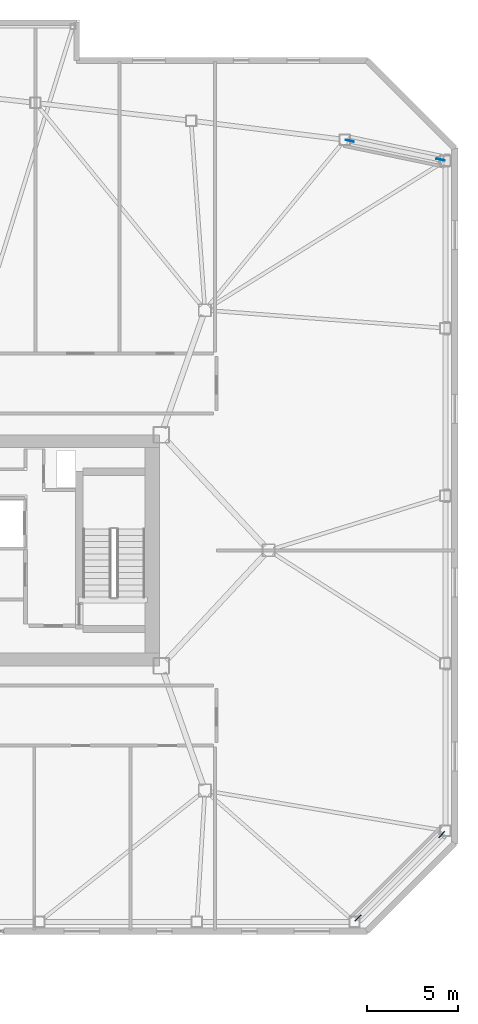
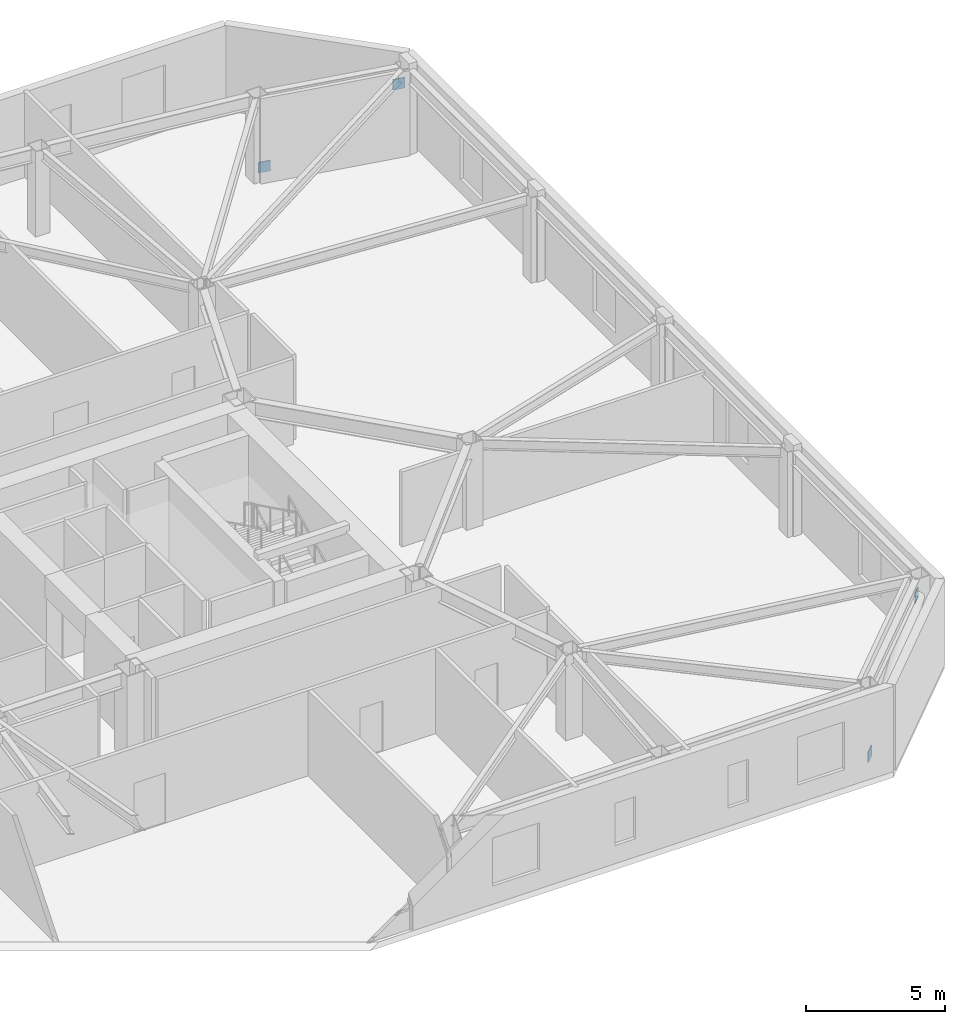
# One storey, part 17 of 18: 4 discrete accessories.
"""IFC4 building model written with IfcOpenShell, lengths in metres."""

from ifc_helpers import new_model, si_unit, direction, frame, origin, origin_2d, place, context, subcontext, project, spatial, rectangle, extrude, material, type_object, element, save


model = new_model("IFC4")

# Units and contexts
model_context = context("Model", 3, precision=1e-05, world=origin(), true_north=direction((0.0, 1.0)))
body_context = subcontext(model_context, "Body", "Model", "MODEL_VIEW")
ifc_project = project(units=[si_unit("LENGTHUNIT", "METRE"), si_unit("AREAUNIT", "SQUARE_METRE"), si_unit("VOLUMEUNIT", "CUBIC_METRE"), si_unit("PLANEANGLEUNIT", "RADIAN"), si_unit("MASSUNIT", "GRAM", prefix="KILO")], contexts=[model_context])

# Site, building, storey
site_placement = place(None, origin())
site = spatial("IfcSite", under=ifc_project, at=site_placement, CompositionType="ELEMENT")
building_placement = place(site_placement, origin())
building = spatial("IfcBuilding", under=site, at=building_placement, Name="Tavrogorsk Clinical Tower", CompositionType="ELEMENT")
storey_placement = place(building_placement, frame((0.0, 0.0, 184.199951171875)))
storey = spatial("IfcBuildingStorey", under=building, at=storey_placement, Name="L42", CompositionType="ELEMENT", Elevation=184.199951171875)

# Discrete accessories
ifc_material = material(Name="Structural steel S440", Category="steel")
discrete_accessory_type = type_object("IfcDiscreteAccessoryType", Name="GussetPlateBracket_25", PredefinedType="BRACKET", material=ifc_material)
for number, where, z_axis, x_axis, name in (
    (1, (32.922607421875, -20.217529296875, 0.18310546875), (0.0, 0.0, 1.0), (0.707106781187, 0.707106781187, 0.0), "L42 Brace Gusset Plate EXOCRN-L42-1-A"),
    (2, (37.517333984375, -15.62255859375, 2.7470703125), (0.0, 0.0, 1.0), (0.707106781187, 0.707106781187, 0.0), "L42 Brace Gusset Plate EXOCRN-L42-1-B"),
    (3, (32.461669921875, 22.509765625, 0.20654296875), (0.0, 0.0, 1.0), (0.979187402648, -0.202958198889, 0.0), "L42 Brace Gusset Plate EXOCRN-L42-2-A"),
    (4, (37.44970703125, 21.47607421875, 2.7236328125), (0.0, 0.0, 1.0), (0.979187402648, -0.202958198889, 0.0), "L42 Brace Gusset Plate EXOCRN-L42-2-B"),
):
    element("IfcDiscreteAccessory", number, at=place(storey_placement, frame(where, z_axis=z_axis, x_axis=x_axis)), inside=storey, type_object=discrete_accessory_type, Name=name, PredefinedType="BRACKET", context=body_context, shape_type="SweptSolid", body=[
        extrude(rectangle(XDim=0.4599609375, YDim=0.0400390625, at=origin_2d()), origin(), (0.0, 0.0, 1.0), 0.4599609375),
    ])

save(model, "model.ifc")
